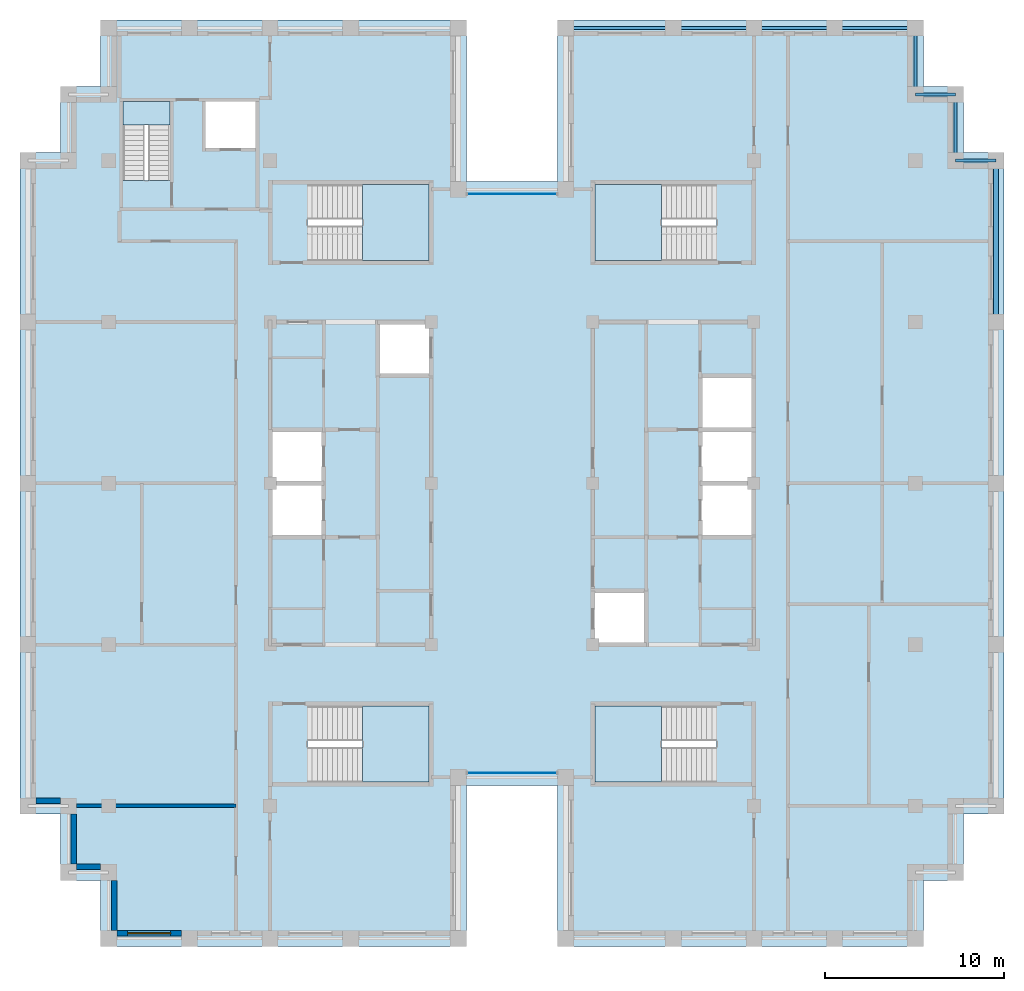
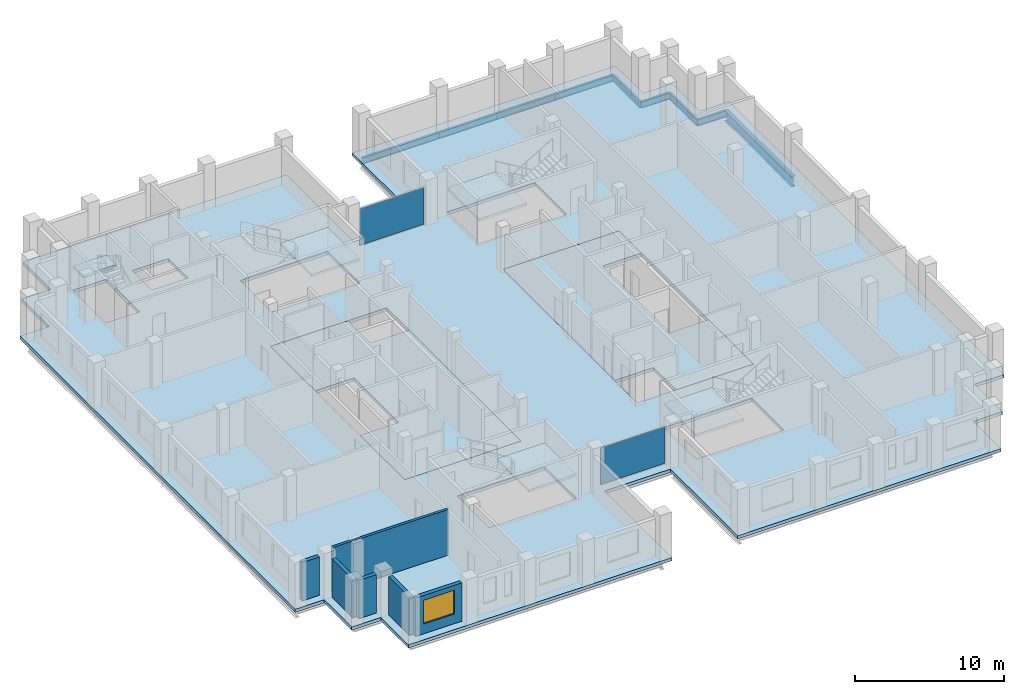
# One storey, part 5 of 13: 9 beams, 8 slabs, 6 walls, 2 plates, 1 window, 1 opening, 7 elements without a shape of their own.
"""IFC4 building model written with IfcOpenShell, lengths in metres."""

from ifc_helpers import new_model, si_unit, direction, frame, frame_2d, origin, origin_2d, place, context, subcontext, project, spatial, polyline, rectangle, i_section, outline, extrude, material, layer, layer_set, material_profile, profile_set, type_object, element, fill, aggregate, save


model = new_model("IFC4")

# Units and contexts
model_context = context("Model", 3, precision=1e-05, world=origin(), true_north=direction((0.0, 1.0)))
body_context = subcontext(model_context, "Body", "Model", "MODEL_VIEW")
ifc_project = project(units=[si_unit("LENGTHUNIT", "METRE"), si_unit("AREAUNIT", "SQUARE_METRE"), si_unit("VOLUMEUNIT", "CUBIC_METRE"), si_unit("PLANEANGLEUNIT", "RADIAN"), si_unit("MASSUNIT", "GRAM", prefix="KILO")], contexts=[model_context])

# Site, building, storey
site_placement = place(None, origin())
site = spatial("IfcSite", under=ifc_project, at=site_placement, CompositionType="ELEMENT")
building_placement = place(site_placement, origin())
building = spatial("IfcBuilding", under=site, at=building_placement, Name="Corbelhall Arena Tower", CompositionType="ELEMENT")
storey_placement = place(building_placement, frame((0.0, 0.0, 330.0)))
storey = spatial("IfcBuildingStorey", under=building, at=storey_placement, Name="L72", CompositionType="ELEMENT", Elevation=330.0)

# Beams
ifc_material_1 = material(Name="Steel ASTM A992 Gr50", Category="steel")
ifc_material_profile_1 = material_profile(ifc_material_1, i_section(OverallWidth=0.16650390625, OverallDepth=0.535888671875, WebThickness=0.01025390625, FlangeThickness=0.0166015625, at=origin_2d()))
ifc_profile_set_1 = profile_set([ifc_material_profile_1], Name="Steel ASTM A992 Gr50")
beam_type_1 = type_object("IfcBeamType", Name="ST-SPANDREL-W21x57", PredefinedType="SPANDREL", material=ifc_profile_set_1)
beam_1_placement = place(storey_placement, frame((3.0, 25.39990234375, -0.528076171875), z_axis=(1.0, 0.0, 0.0), x_axis=(0.0, 1.0, 0.0)))
element("IfcBeam", 1, at=beam_1_placement, inside=storey, type_object=beam_type_1, Name="Beam SP 6", PredefinedType="SPANDREL", context=body_context, shape_type="SweptSolid", body=[
    extrude(i_section(OverallWidth=0.16650390625, OverallDepth=0.535888671875, WebThickness=0.01025390625, FlangeThickness=0.0166015625, at=origin_2d()), origin(), (0.0, 0.0, 1.0), 6.0),
])
for number, where, z_axis, x_axis, name in (
    (2, (9.0, 25.39990234375, -0.528076171875), (1.0, 0.0, 0.0), (0.0, 1.0, 0.0), "Beam SP 7"),
    (3, (13.5, 25.39990234375, -0.528076171875), (1.0, 0.0, 0.0), (0.0, 1.0, 0.0), "Beam SP 8"),
    (4, (18.0, 25.39990234375, -0.528076171875), (1.0, 0.0, 0.0), (0.0, 1.0, 0.0), "Beam SP 9"),
):
    element("IfcBeam", number, at=place(storey_placement, frame(where, z_axis=z_axis, x_axis=x_axis)), inside=storey, type_object=beam_type_1, Name=name, PredefinedType="SPANDREL", context=body_context, shape_type="SweptSolid", body=[
        extrude(i_section(OverallWidth=0.16650390625, OverallDepth=0.535888671875, WebThickness=0.01025390625, FlangeThickness=0.0166015625, at=origin_2d()), origin(), (0.0, 0.0, 1.0), 4.5),
    ])
beam_2_placement = place(storey_placement, frame((22.5, 25.39990234375, -0.528076171875), z_axis=(0.0, -1.0, 0.0), x_axis=(1.0, 0.0, 0.0)))
element("IfcBeam", 5, at=beam_2_placement, inside=storey, type_object=beam_type_1, Name="Beam SP 10", PredefinedType="SPANDREL", context=body_context, shape_type="SweptSolid", body=[
    extrude(i_section(OverallWidth=0.16650390625, OverallDepth=0.535888671875, WebThickness=0.01025390625, FlangeThickness=0.0166015625, at=origin_2d()), origin(), (0.0, 0.0, 1.0), 3.699951171875),
])
beam_3_placement = place(storey_placement, frame((22.5, 21.699951171875, -0.528076171875), z_axis=(1.0, 0.0, 0.0), x_axis=(0.0, 1.0, 0.0)))
element("IfcBeam", 6, at=beam_3_placement, inside=storey, type_object=beam_type_1, Name="Beam SP 35", PredefinedType="SPANDREL", context=body_context, shape_type="SweptSolid", body=[
    extrude(i_section(OverallWidth=0.16650390625, OverallDepth=0.535888671875, WebThickness=0.01025390625, FlangeThickness=0.0166015625, at=origin_2d()), origin(), (0.0, 0.0, 1.0), 2.25),
])
beam_4_placement = place(storey_placement, frame((24.75, 21.699951171875, -0.528076171875), z_axis=(0.0, -1.0, 0.0), x_axis=(1.0, 0.0, 0.0)))
element("IfcBeam", 7, at=beam_4_placement, inside=storey, type_object=beam_type_1, Name="Beam SP 36", PredefinedType="SPANDREL", context=body_context, shape_type="SweptSolid", body=[
    extrude(i_section(OverallWidth=0.16650390625, OverallDepth=0.535888671875, WebThickness=0.01025390625, FlangeThickness=0.0166015625, at=origin_2d()), origin(), (0.0, 0.0, 1.0), 3.699951171875),
])
beam_5_placement = place(storey_placement, frame((24.75, 18.0, -0.528076171875), z_axis=(1.0, 0.0, 0.0), x_axis=(0.0, 1.0, 0.0)))
element("IfcBeam", 8, at=beam_5_placement, inside=storey, type_object=beam_type_1, Name="Beam SP 37", PredefinedType="SPANDREL", context=body_context, shape_type="SweptSolid", body=[
    extrude(i_section(OverallWidth=0.16650390625, OverallDepth=0.535888671875, WebThickness=0.01025390625, FlangeThickness=0.0166015625, at=origin_2d()), origin(), (0.0, 0.0, 1.0), 2.25),
])
ifc_material_profile_2 = material_profile(ifc_material_1, i_section(OverallWidth=0.2919921875, OverallDepth=0.845703125, WebThickness=0.015380859375, FlangeThickness=0.0244140625, at=origin_2d()))
ifc_profile_set_2 = profile_set([ifc_material_profile_2], Name="Steel ASTM A992 Gr50")
beam_type_2 = type_object("IfcBeamType", Name="ST-SPANDREL-W33x141", PredefinedType="SPANDREL", material=ifc_profile_set_2)
beam_6_placement = place(storey_placement, frame((27.0, 18.0, -0.682861328125), z_axis=(0.0, -1.0, 0.0), x_axis=(1.0, 0.0, 0.0)))
element("IfcBeam", 9, at=beam_6_placement, inside=storey, type_object=beam_type_2, Name="Beam SP 3", PredefinedType="SPANDREL", context=body_context, shape_type="SweptSolid", body=[
    extrude(i_section(OverallWidth=0.2919921875, OverallDepth=0.845703125, WebThickness=0.015380859375, FlangeThickness=0.0244140625, at=origin_2d()), origin(), (0.0, 0.0, 1.0), 9.0),
])

# Curtain wall, plate
ifc_material_2 = material(Name="Aluminium black anodised", Category="aluminium")
ifc_layer_1 = layer(ifc_material_2, 0.199951171875)
ifc_layer_set_1 = layer_set([ifc_layer_1], Name="EV-CW1 Slot back wall")
curtain_wall_type = type_object("IfcCurtainWallType", Name="EV-CW1 Slot back wall", PredefinedType="NOTDEFINED", material=ifc_layer_set_1)
curtain_wall_1_placement = place(storey_placement, origin())
curtain_wall_1 = element("IfcCurtainWall", 10, at=curtain_wall_1_placement, inside=storey, type_object=curtain_wall_type, Name="Curtain wall CW1", PredefinedType="NOTDEFINED")
ifc_material_3 = material(Name="Glass dark tinted laminated", Category="glass")
ifc_layer_2 = layer(ifc_material_3, 0.028076171875)
ifc_layer_set_2 = layer_set([ifc_layer_2], Name="EV-CW1-PANEL")
plate_type = type_object("IfcPlateType", Name="EV-CW1-PANEL", PredefinedType="CURTAIN_PANEL", material=ifc_layer_set_2)
plate_1_placement = place(storey_placement, frame((0.0, -16.14990234375, 0.0751953125), z_axis=(0.0, 0.0, 1.0), x_axis=(1.0, 0.0, 0.0)))
plate_1 = element("IfcPlate", 11, at=plate_1_placement, type_object=plate_type, Name="CW1 panel 1.1", PredefinedType="CURTAIN_PANEL", context=body_context, shape_type="SweptSolid", body=[
    extrude(rectangle(XDim=4.949951171875, YDim=0.028076171875, at=origin_2d()), origin(), (0.0, 0.0, 1.0), 2.989990234375),
])
aggregate(curtain_wall_1, [plate_1])

curtain_wall_2_placement = place(storey_placement, origin())
curtain_wall_2 = element("IfcCurtainWall", 12, at=curtain_wall_2_placement, inside=storey, type_object=curtain_wall_type, Name="Curtain wall CW1", PredefinedType="NOTDEFINED")
plate_2_placement = place(storey_placement, frame((0.0, 16.14990234375, 0.0751953125), z_axis=(0.0, 0.0, 1.0), x_axis=(-1.0, 0.0, 0.0)))
plate_2 = element("IfcPlate", 13, at=plate_2_placement, type_object=plate_type, Name="CW1 panel 1.1", PredefinedType="CURTAIN_PANEL", context=body_context, shape_type="SweptSolid", body=[
    extrude(rectangle(XDim=4.949951171875, YDim=0.028076171875, at=origin_2d()), origin(), (0.0, 0.0, 1.0), 2.989990234375),
])
aggregate(curtain_wall_2, [plate_2])

# Slabs
ifc_material_4 = material(Name="Concrete C40/50", Category="concrete")
ifc_layer_3 = layer(ifc_material_4, 0.300048828125)
ifc_layer_set_3 = layer_set([ifc_layer_3], Name="IN-SL-CORE")
slab_type_1 = type_object("IfcSlabType", Name="IN-SL-CORE", PredefinedType="FLOOR", material=ifc_layer_set_3)
slab_1_placement = place(storey_placement, frame((0.0, 0.0, -0.260009765625)))
element("IfcSlab", 14, at=slab_1_placement, inside=storey, type_object=slab_type_1, Name="Core floor W", PredefinedType="FLOOR", context=body_context, shape_type="SweptSolid", body=[
    extrude(outline(polyline([(-13.5, -3.0), (-13.5, -9.0), (-4.5, -9.0), (-4.5, 6.0), (-7.5, 6.0), (-7.5, 9.0), (-13.5, 9.0), (-13.5, 3.0), (-10.5, 3.0), (-10.5, 0.0), (-10.5, -3.0), (-13.5, -3.0)])), origin(), (0.0, 0.0, 1.0), 0.260009765625),
])
slab_2_placement = place(storey_placement, frame((0.0, 0.0, -0.260009765625)))
element("IfcSlab", 15, at=slab_2_placement, inside=storey, type_object=slab_type_1, Name="Core floor E", PredefinedType="FLOOR", context=body_context, shape_type="SweptSolid", body=[
    extrude(outline(polyline([(10.5, 0.0), (10.5, 3.0), (10.5, 6.0), (13.5, 6.0), (13.5, 9.0), (4.5, 9.0), (4.5, -6.0), (7.5, -6.0), (7.5, -9.0), (13.5, -9.0), (13.5, -3.0), (10.5, -3.0), (10.5, 0.0)])), origin(), (0.0, 0.0, 1.0), 0.260009765625),
])

# Stair, slab
stair_type = type_object("IfcStairType", Name="IN-ST-TOWER", PredefinedType="HALF_TURN_STAIR", material=ifc_material_4)
stair_1_placement = place(storey_placement, origin())
stair_1 = element("IfcStair", 16, at=stair_1_placement, inside=storey, type_object=stair_type, Name="L72 Exit stair ST1", PredefinedType="HALF_TURN_STAIR")
ifc_layer_4 = layer(ifc_material_4, 0.199951171875)
ifc_layer_set_4 = layer_set([ifc_layer_4], Name="IN-SL-LANDING")
slab_type_2 = type_object("IfcSlabType", Name="IN-SL-LANDING", PredefinedType="LANDING", material=ifc_layer_set_4)
slab_3_placement = place(storey_placement, frame((0.0, 0.0, 1.800048828125)))
slab_3 = element("IfcSlab", 17, at=slab_3_placement, type_object=slab_type_2, Name="ST1 landing 1", PredefinedType="LANDING", context=body_context, shape_type="SweptSolid", body=[
    extrude(outline(polyline([(-8.344970703125, 12.425048828125), (-4.625, 12.425048828125), (-4.625, 16.675048828125), (-8.344970703125, 16.675048828125), (-8.344970703125, 12.425048828125)])), origin(), (0.0, 0.0, 1.0), 0.199951171875),
])
aggregate(stair_1, [slab_3])

stair_2_placement = place(storey_placement, origin())
stair_2 = element("IfcStair", 18, at=stair_2_placement, inside=storey, type_object=stair_type, Name="L72 Exit stair ST2", PredefinedType="HALF_TURN_STAIR")
slab_4_placement = place(storey_placement, frame((0.0, 0.0, 1.800048828125)))
slab_4 = element("IfcSlab", 19, at=slab_4_placement, type_object=slab_type_2, Name="ST2 landing 1", PredefinedType="LANDING", context=body_context, shape_type="SweptSolid", body=[
    extrude(outline(polyline([(-8.344970703125, -16.675048828125), (-4.625, -16.675048828125), (-4.625, -12.425048828125), (-8.344970703125, -12.425048828125), (-8.344970703125, -16.675048828125)])), origin(), (0.0, 0.0, 1.0), 0.199951171875),
])
aggregate(stair_2, [slab_4])

stair_3_placement = place(storey_placement, origin())
stair_3 = element("IfcStair", 20, at=stair_3_placement, inside=storey, type_object=stair_type, Name="L72 Exit stair ST3", PredefinedType="HALF_TURN_STAIR")
slab_5_placement = place(storey_placement, frame((0.0, 0.0, 1.800048828125)))
slab_5 = element("IfcSlab", 21, at=slab_5_placement, type_object=slab_type_2, Name="ST3 landing 1", PredefinedType="LANDING", context=body_context, shape_type="SweptSolid", body=[
    extrude(outline(polyline([(8.344970703125, 16.675048828125), (4.625, 16.675048828125), (4.625, 12.425048828125), (8.344970703125, 12.425048828125), (8.344970703125, 16.675048828125)])), origin(), (0.0, 0.0, 1.0), 0.199951171875),
])
aggregate(stair_3, [slab_5])

stair_4_placement = place(storey_placement, origin())
stair_4 = element("IfcStair", 22, at=stair_4_placement, inside=storey, type_object=stair_type, Name="L72 Exit stair ST4", PredefinedType="HALF_TURN_STAIR")
slab_6_placement = place(storey_placement, frame((0.0, 0.0, 1.800048828125)))
slab_6 = element("IfcSlab", 23, at=slab_6_placement, type_object=slab_type_2, Name="ST4 landing 1", PredefinedType="LANDING", context=body_context, shape_type="SweptSolid", body=[
    extrude(outline(polyline([(8.344970703125, -12.425048828125), (4.625, -12.425048828125), (4.625, -16.675048828125), (8.344970703125, -16.675048828125), (8.344970703125, -12.425048828125)])), origin(), (0.0, 0.0, 1.0), 0.199951171875),
])
aggregate(stair_4, [slab_6])

stair_5_placement = place(storey_placement, origin())
stair_5 = element("IfcStair", 24, at=stair_5_placement, inside=storey, type_object=stair_type, Name="L72 Exit stair ST5", PredefinedType="HALF_TURN_STAIR")
slab_7_placement = place(storey_placement, frame((0.0, 0.0, 1.800048828125)))
slab_7 = element("IfcSlab", 25, at=slab_7_placement, type_object=slab_type_2, Name="ST5 landing 1", PredefinedType="LANDING", context=body_context, shape_type="SweptSolid", body=[
    extrude(outline(polyline([(-19.094970703125, 19.97998046875), (-19.094970703125, 21.300048828125), (-21.695068359375, 21.300048828125), (-21.695068359375, 19.97998046875), (-19.094970703125, 19.97998046875)])), origin(), (0.0, 0.0, 1.0), 0.199951171875),
])
aggregate(stair_5, [slab_7])

# Slab
ifc_layer_5 = layer(ifc_material_4, 0.260009765625)
ifc_layer_set_5 = layer_set([ifc_layer_5], Name="ST-SLAB-FLOOR-260")
slab_type_3 = type_object("IfcSlabType", Name="ST-SLAB-FLOOR-260", PredefinedType="FLOOR", material=ifc_layer_set_5)
slab_8_placement = place(storey_placement, frame((0.0, 0.0, -0.260009765625)))
element("IfcSlab", 26, at=slab_8_placement, inside=storey, type_object=slab_type_3, Name="Floor slab L72 1", PredefinedType="FLOOR", context=body_context, shape_type="SweptSolid", body=[
    extrude(outline(polyline([(22.949951171875, 25.85009765625), (2.550048828125, 25.85009765625), (2.550048828125, 16.85009765625), (-2.550048828125, 16.85009765625), (-2.550048828125, 25.85009765625), (-22.949951171875, 25.85009765625), (-22.949951171875, 22.14990234375), (-25.199951171875, 22.14990234375), (-25.199951171875, 18.449951171875), (-27.449951171875, 18.449951171875), (-27.449951171875, -18.449951171875), (-25.199951171875, -18.449951171875), (-25.199951171875, -22.14990234375), (-22.949951171875, -22.14990234375), (-22.949951171875, -25.85009765625), (-2.550048828125, -25.85009765625), (-2.550048828125, -16.85009765625), (2.550048828125, -16.85009765625), (2.550048828125, -25.85009765625), (22.949951171875, -25.85009765625), (22.949951171875, -22.14990234375), (25.199951171875, -22.14990234375), (25.199951171875, -18.449951171875), (27.449951171875, -18.449951171875), (27.449951171875, 18.449951171875), (25.199951171875, 18.449951171875), (25.199951171875, 22.14990234375), (22.949951171875, 22.14990234375), (22.949951171875, 25.85009765625)]), holes=[polyline([(-13.5, 9.0), (-13.5, -9.0), (-4.5, -9.0), (-4.5, 9.0), (-13.5, 9.0)]), polyline([(4.5, 9.0), (4.5, -9.0), (13.5, -9.0), (13.5, 9.0), (4.5, 9.0)]), polyline([(-4.625, 16.675048828125), (-11.422119140625, 16.675048828125), (-11.422119140625, 12.425048828125), (-4.625, 12.425048828125), (-4.625, 16.675048828125)]), polyline([(-4.625, -16.675048828125), (-4.625, -12.425048828125), (-11.422119140625, -12.425048828125), (-11.422119140625, -16.675048828125), (-4.625, -16.675048828125)]), polyline([(11.422119140625, 16.675048828125), (4.625, 16.675048828125), (4.625, 12.425048828125), (11.422119140625, 12.425048828125), (11.422119140625, 16.675048828125)]), polyline([(11.422119140625, -16.675048828125), (11.422119140625, -12.425048828125), (4.625, -12.425048828125), (4.625, -16.675048828125), (11.422119140625, -16.675048828125)]), polyline([(-21.695068359375, 21.300048828125), (-21.695068359375, 16.903076171875), (-19.094970703125, 16.903076171875), (-19.094970703125, 21.300048828125), (-21.695068359375, 21.300048828125)]), polyline([(-14.300048828125, 21.300048828125), (-17.10009765625, 21.300048828125), (-17.10009765625, 18.699951171875), (-14.300048828125, 18.699951171875), (-14.300048828125, 21.300048828125)])]), origin(), (0.0, 0.0, 1.0), 0.260009765625),
])

# Walls
ifc_material_5 = material(Name="Precast concrete C40/50 with granite facing", Category="masonry")
ifc_layer_6 = layer(ifc_material_5, 0.300048828125)
ifc_layer_set_6 = layer_set([ifc_layer_6], Name="EV-IW1 Infill panel 300")
wall_type_1 = type_object("IfcWallType", Name="EV-IW1 Infill panel 300", PredefinedType="SOLIDWALL", material=ifc_layer_set_6)
wall_1_placement = place(storey_placement, frame((-26.550048828125, -17.699951171875, 0.0), z_axis=(0.0, 0.0, 1.0), x_axis=(1.0, 0.0, 0.0)))
element("IfcWall", 27, at=wall_1_placement, inside=storey, type_object=wall_type_1, Name="Infill panel IW1", PredefinedType="SOLIDWALL", context=body_context, shape_type="SweptSolid", body=[
    extrude(rectangle(XDim=1.35009765625, YDim=0.300048828125, at=frame_2d((0.675048828125, 0.0))), origin(), (0.0, 0.0, 1.0), 3.139892578125),
])
wall_2_placement = place(storey_placement, frame((-24.449951171875, -18.449951171875, 0.0), z_axis=(0.0, 0.0, 1.0), x_axis=(0.0, -1.0, 0.0)))
element("IfcWall", 28, at=wall_2_placement, inside=storey, type_object=wall_type_1, Name="Infill panel IW1", PredefinedType="SOLIDWALL", context=body_context, shape_type="SweptSolid", body=[
    extrude(rectangle(XDim=2.800048828125, YDim=0.300048828125, at=frame_2d((1.39990234375, 0.0))), origin(), (0.0, 0.0, 1.0), 3.139892578125),
])
wall_3_placement = place(storey_placement, frame((-24.300048828125, -21.39990234375, 0.0), z_axis=(0.0, 0.0, 1.0), x_axis=(1.0, 0.0, 0.0)))
element("IfcWall", 29, at=wall_3_placement, inside=storey, type_object=wall_type_1, Name="Infill panel IW1", PredefinedType="SOLIDWALL", context=body_context, shape_type="SweptSolid", body=[
    extrude(rectangle(XDim=1.35009765625, YDim=0.300048828125, at=frame_2d((0.675048828125, 0.0))), origin(), (0.0, 0.0, 1.0), 3.139892578125),
])
wall_4_placement = place(storey_placement, frame((-22.199951171875, -22.14990234375, 0.0), z_axis=(0.0, 0.0, 1.0), x_axis=(0.0, -1.0, 0.0)))
element("IfcWall", 30, at=wall_4_placement, inside=storey, type_object=wall_type_1, Name="Infill panel IW1", PredefinedType="SOLIDWALL", context=body_context, shape_type="SweptSolid", body=[
    extrude(rectangle(XDim=2.800048828125, YDim=0.300048828125, at=frame_2d((1.39990234375, 0.0))), origin(), (0.0, 0.0, 1.0), 3.139892578125),
])

# Wall, opening, window
wall_5_placement = place(storey_placement, frame((-22.050048828125, -25.10009765625, 0.0), z_axis=(0.0, 0.0, 1.0), x_axis=(1.0, 0.0, 0.0)))
wall_5 = element("IfcWall", 31, at=wall_5_placement, inside=storey, type_object=wall_type_1, Name="Infill panel IW1", PredefinedType="SOLIDWALL", context=body_context, shape_type="SweptSolid", body=[
    extrude(rectangle(XDim=3.60009765625, YDim=0.300048828125, at=frame_2d((1.800048828125, 0.0))), origin(), (0.0, 0.0, 1.0), 3.139892578125),
])
opening_placement = place(wall_5_placement, frame((0.60009765625, 0.0, 0.800048828125)))
opening = element("IfcOpeningElement", 32, at=opening_placement, cuts=wall_5, Name="Opening WN1", PredefinedType="OPENING", context=body_context, shape_type="SweptSolid", body=[
    extrude(rectangle(XDim=2.39990234375, YDim=1.949951171875, at=frame_2d((1.199951171875, 0.97509765625))), frame((0.0, 0.14990234375, 0.0), z_axis=(0.0, -1.0, 0.0), x_axis=(1.0, 0.0, 0.0)), (0.0, 0.0, 1.0), 0.300048828125),
])
window_type = type_object("IfcWindowType", Name="EV-WN1 Office window", PartitioningType="SINGLE_PANEL", PredefinedType="WINDOW", material=ifc_material_2)
window_placement = place(opening_placement, origin())
window = element("IfcWindow", 33, at=window_placement, inside=storey, type_object=window_type, Name="Window WN1", OverallHeight=1.949951171875, OverallWidth=2.39990234375, PartitioningType="SINGLE_PANEL", PredefinedType="WINDOW", context=body_context, shape_type="SweptSolid", body=[
    extrude(rectangle(XDim=2.39990234375, YDim=1.949951171875, at=frame_2d((1.199951171875, 0.97509765625))), frame((0.0, 0.030029296875, 0.0), z_axis=(0.0, -1.0, 0.0), x_axis=(1.0, 0.0, 0.0)), (0.0, 0.0, 1.0), 0.06005859375),
])
fill(opening, window)

# Wall
ifc_material_6 = material(Name="Gypsum board on steel stud, acoustic", Category="steel")
ifc_layer_7 = layer(ifc_material_6, 0.199951171875)
ifc_layer_set_7 = layer_set([ifc_layer_7], Name="IN-W-DM200")
wall_type_2 = type_object("IfcWallType", Name="IN-W-DM200", PredefinedType="PARTITIONING", material=ifc_layer_set_7)
wall_6_placement = place(storey_placement, frame((-24.300048828125, -18.0, 0.0), z_axis=(0.0, 0.0, 1.0), x_axis=(1.0, 0.0, 0.0)))
element("IfcWall", 34, at=wall_6_placement, inside=storey, type_object=wall_type_2, Name="Partition 003", PredefinedType="PARTITIONING", context=body_context, shape_type="SweptSolid", body=[
    extrude(rectangle(XDim=8.900146484375, YDim=0.199951171875, at=frame_2d((4.4501953125, 0.0))), origin(), (0.0, 0.0, 1.0), 3.739990234375),
])

save(model, "model.ifc")
